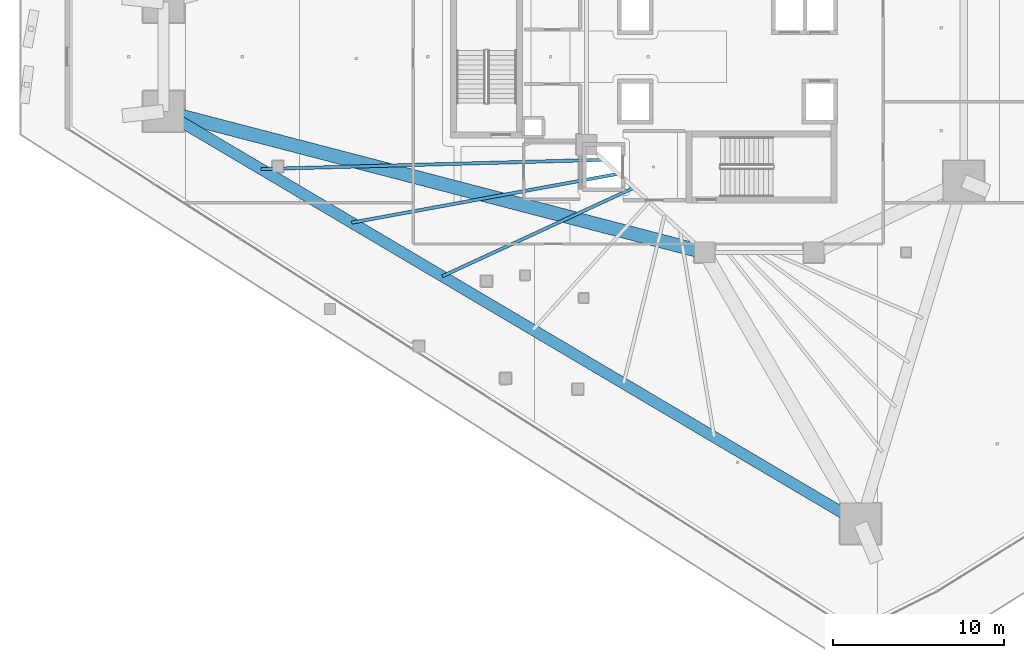
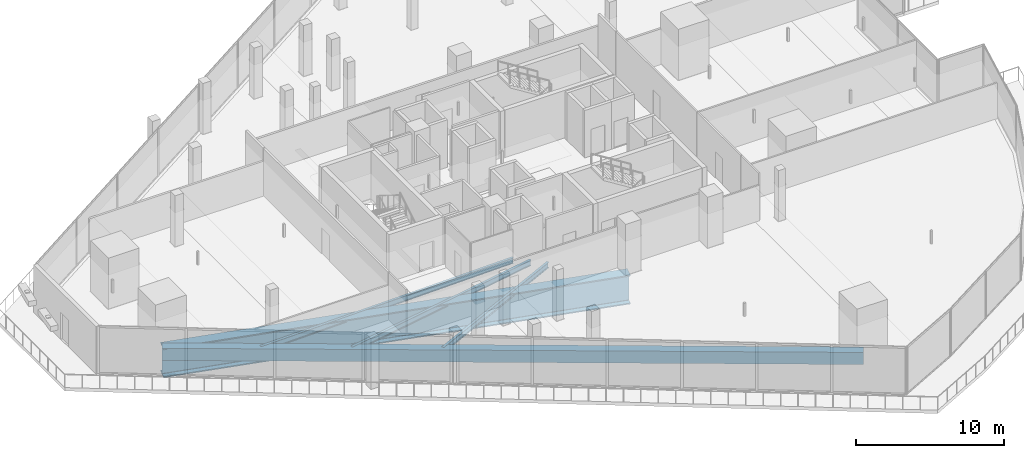
# One storey, part 6 of 42: 5 beams.
"""IFC4 building model written with IfcOpenShell, lengths in metres."""

from ifc_helpers import new_model, si_unit, direction, frame, origin, origin_2d, place, context, subcontext, project, spatial, rectangle, i_section, extrude, material, material_profile, profile_set, type_object, element, save


model = new_model("IFC4")

# Units and contexts
model_context = context("Model", 3, precision=1e-05, world=origin(), true_north=direction((0.0, 1.0)))
body_context = subcontext(model_context, "Body", "Model", "MODEL_VIEW")
ifc_project = project(units=[si_unit("LENGTHUNIT", "METRE"), si_unit("AREAUNIT", "SQUARE_METRE"), si_unit("VOLUMEUNIT", "CUBIC_METRE"), si_unit("PLANEANGLEUNIT", "RADIAN"), si_unit("MASSUNIT", "GRAM", prefix="KILO")], contexts=[model_context])

# Site, building, storey
site_placement = place(None, origin())
site = spatial("IfcSite", under=ifc_project, at=site_placement, CompositionType="ELEMENT")
building_placement = place(site_placement, origin())
building = spatial("IfcBuilding", under=site, at=building_placement, Name="Qorvath Tower", CompositionType="ELEMENT")
storey_placement = place(building_placement, frame((0.0, 0.0, 32.39990234375)))
storey = spatial("IfcBuildingStorey", under=building, at=storey_placement, Name="L06", CompositionType="ELEMENT", Elevation=32.39990234375)

# Beams
ifc_material_1 = material(Name="Steel ASTM A992 Grade 50", Category="steel")
ifc_material_profile_1 = material_profile(ifc_material_1, i_section(OverallWidth=0.18994140625, OverallDepth=0.45703125, WebThickness=0.009033203125, FlangeThickness=0.014404296875, FilletRadius=0.011962890625, at=origin_2d()), Name="W18x50")
ifc_profile_set_1 = profile_set([ifc_material_profile_1], Name="Steel ASTM A992 Grade 50")
beam_type_1 = type_object("IfcBeamType", Name="BM-FJ2", PredefinedType="JOIST", material=ifc_profile_set_1)
beam_1_placement = place(storey_placement, frame((-29.533935546875, -6.031982421875, -0.50830078125), z_axis=(-0.999634925413, -0.02701880631, 0.0), x_axis=(0.02701880631, -0.999634925413, 0.0)))
element("IfcBeam", 1, at=beam_1_placement, inside=storey, type_object=beam_type_1, Name="Composite Floor Joist SW1 L06", PredefinedType="JOIST", context=body_context, shape_type="SweptSolid", body=[
    extrude(i_section(OverallWidth=0.18994140625, OverallDepth=0.45703125, WebThickness=0.009033203125, FlangeThickness=0.014404296875, FilletRadius=0.011962890625, at=origin_2d()), origin(), (0.0, 0.0, 1.0), 20.041748046875),
])
beam_2_placement = place(storey_placement, frame((-28.636962890625, -6.85107421875, -0.50830078125), z_axis=(-0.983656498786, -0.180055248176, 0.0), x_axis=(0.180055248176, -0.983656498786, 0.0)))
element("IfcBeam", 2, at=beam_2_placement, inside=storey, type_object=beam_type_1, Name="Composite Floor Joist SW2 L06", PredefinedType="JOIST", context=body_context, shape_type="SweptSolid", body=[
    extrude(i_section(OverallWidth=0.18994140625, OverallDepth=0.45703125, WebThickness=0.009033203125, FlangeThickness=0.014404296875, FilletRadius=0.011962890625, at=origin_2d()), origin(), (0.0, 0.0, 1.0), 15.884521484375),
])
beam_3_placement = place(storey_placement, frame((-27.739990234375, -7.669921875, -0.50830078125), z_axis=(-0.907881281747, -0.419227358665, 0.0), x_axis=(0.419227358665, -0.907881281747, 0.0)))
element("IfcBeam", 3, at=beam_3_placement, inside=storey, type_object=beam_type_1, Name="Composite Floor Joist SW3 L06", PredefinedType="JOIST", context=body_context, shape_type="SweptSolid", body=[
    extrude(i_section(OverallWidth=0.18994140625, OverallDepth=0.45703125, WebThickness=0.009033203125, FlangeThickness=0.014404296875, FilletRadius=0.011962890625, at=origin_2d()), origin(), (0.0, 0.0, 1.0), 12.353515625),
])
ifc_material_2 = material(Name="Concrete C50/60", Category="concrete")
ifc_material_profile_2 = material_profile(ifc_material_2, rectangle(XDim=0.64990234375, YDim=1.0, at=origin_2d()), Name="RCB 1000x650")
ifc_profile_set_2 = profile_set([ifc_material_profile_2], Name="Concrete C50/60")
beam_type_2 = type_object("IfcBeamType", Name="BM-RCB1", PredefinedType="SPANDREL", material=ifc_profile_set_2)
beam_4_placement = place(storey_placement, frame((-55.282958984375, -3.194580078125, -0.77978515625), z_axis=(0.860777360917, -0.508981664633, 0.0), x_axis=(0.508981664633, 0.860777360917, 0.0)))
element("IfcBeam", 4, at=beam_4_placement, inside=storey, type_object=beam_type_2, Name="Perimeter Loggia Frame Beam MC2-MC3 L06", PredefinedType="SPANDREL", context=body_context, shape_type="SweptSolid", body=[
    extrude(rectangle(XDim=0.64990234375, YDim=1.0, at=origin_2d()), origin(), (0.0, 0.0, 1.0), 47.420654296875),
])
ifc_material_3 = material(Name="Steel ASTM A572 Grade 50", Category="steel")
ifc_material_profile_3 = material_profile(ifc_material_3, i_section(OverallWidth=0.800048828125, OverallDepth=2.39990234375, WebThickness=0.044921875, FlangeThickness=0.090087890625, FilletRadius=0.02490234375, at=origin_2d()), Name="WTG 2400x800")
ifc_profile_set_3 = profile_set([ifc_material_profile_3], Name="Steel ASTM A572 Grade 50")
beam_type_3 = type_object("IfcBeamType", Name="BM-TG2", PredefinedType="BEAM", material=ifc_profile_set_3)
beam_5_placement = place(storey_placement, frame((-55.282958984375, -3.194580078125, -1.479736328125), z_axis=(0.967689767858, -0.252143834313, 0.0), x_axis=(0.252143834313, 0.967689767858, 0.0)))
element("IfcBeam", 5, at=beam_5_placement, inside=storey, type_object=beam_type_3, Name="Zone Step Transfer Girder CC6-MC2 L06", PredefinedType="BEAM", context=body_context, shape_type="SweptSolid", body=[
    extrude(i_section(OverallWidth=0.800048828125, OverallDepth=2.39990234375, WebThickness=0.044921875, FlangeThickness=0.090087890625, FilletRadius=0.02490234375, at=origin_2d()), origin(), (0.0, 0.0, 1.0), 32.74072265625),
])

save(model, "model.ifc")
